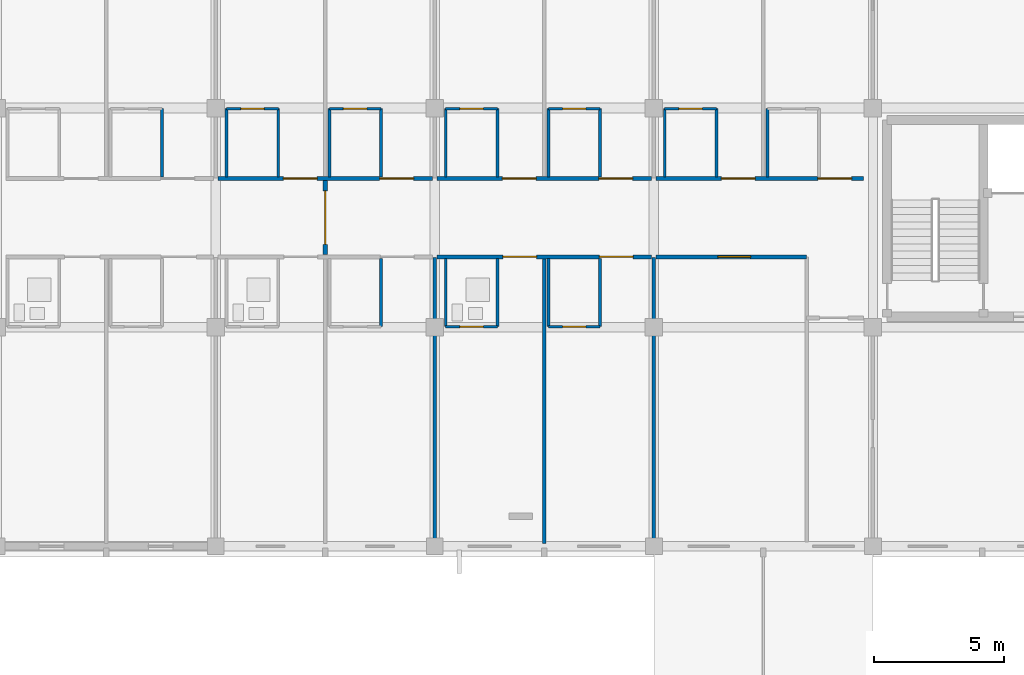
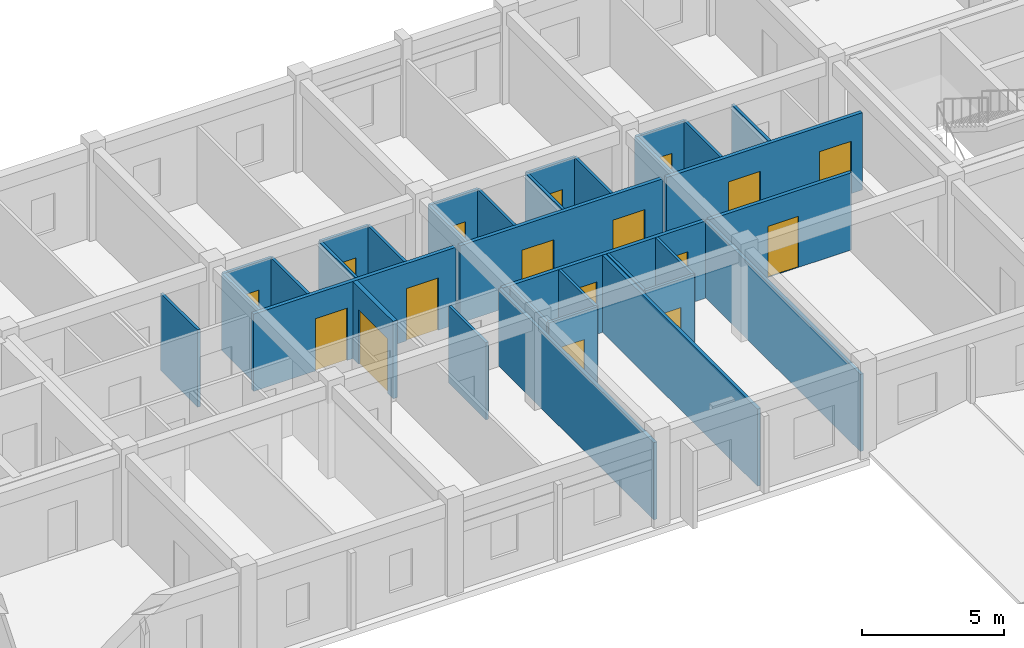
# One storey, part 71 of 90: 33 walls, 17 doors, 17 openings.
"""IFC4 building model written with IfcOpenShell, lengths in metres."""

from ifc_helpers import new_model, si_unit, direction, frame, frame_2d, origin, place, context, subcontext, project, spatial, rectangle, extrude, material, layer, layer_set, type_object, element, fill, save


model = new_model("IFC4")

# Units and contexts
model_context = context("Model", 3, precision=1e-05, world=origin(), true_north=direction((0.0, 1.0)))
body_context = subcontext(model_context, "Body", "Model", "MODEL_VIEW")
ifc_project = project(units=[si_unit("LENGTHUNIT", "METRE"), si_unit("AREAUNIT", "SQUARE_METRE"), si_unit("VOLUMEUNIT", "CUBIC_METRE"), si_unit("PLANEANGLEUNIT", "RADIAN"), si_unit("MASSUNIT", "GRAM", prefix="KILO")], contexts=[model_context])

# Site, building, storey
site_placement = place(None, origin())
site = spatial("IfcSite", under=ifc_project, at=site_placement, CompositionType="ELEMENT")
building_placement = place(site_placement, origin())
building = spatial("IfcBuilding", under=site, at=building_placement, Name="Trelvath General Hospital", CompositionType="ELEMENT")
storey_placement = place(building_placement, frame((0.0, 0.0, 20.39990234375)))
storey = spatial("IfcBuildingStorey", under=building, at=storey_placement, Name="L05", CompositionType="ELEMENT", Elevation=20.39990234375)

# Wall, openings, doors
ifc_material_1 = material(Name="Gypsum acoustic steel-stud partition", Category="steel")
ifc_layer_1 = layer(ifc_material_1, 0.14990234375)
ifc_layer_set_1 = layer_set([ifc_layer_1], Name="Gypsum acoustic steel-stud partition")
wall_type_1 = type_object("IfcWallType", Name="ClinicalPartition 150", PredefinedType="PARTITIONING", material=ifc_layer_set_1)
wall_1_placement = place(storey_placement, frame((67.1201171875, 106.5, 0.0), z_axis=(0.0, 0.0, 1.0), x_axis=(-1.0, 0.0, 0.0)))
wall_1 = element("IfcWall", 1, at=wall_1_placement, inside=storey, type_object=wall_type_1, Name="Corridor Partition N L05-1905", PredefinedType="PARTITIONING", context=body_context, shape_type="SweptSolid", body=[
    extrude(rectangle(XDim=8.240234375, YDim=0.14990234375, at=frame_2d((4.1201171875, 0.0))), origin(), (0.0, 0.0, 1.0), 3.320068359375),
])
opening_1_placement = place(wall_1_placement, frame((0.72998046875, 0.0, 0.0)))
opening_1 = element("IfcOpeningElement", 2, at=opening_1_placement, cuts=wall_1, Name="Opening D-5-1245", PredefinedType="OPENING", context=body_context, shape_type="SweptSolid", body=[
    extrude(rectangle(XDim=1.300048828125, YDim=2.25, at=frame_2d((0.64990234375, 1.125))), frame((0.0, 0.0849609375, 0.0), z_axis=(0.0, -1.0, 0.0), x_axis=(1.0, 0.0, 0.0)), (0.0, 0.0, 1.0), 0.169921875),
])
opening_2_placement = place(wall_1_placement, frame((4.429931640625, 0.0, 0.0)))
opening_2 = element("IfcOpeningElement", 3, at=opening_2_placement, cuts=wall_1, Name="Opening D-5-1246", PredefinedType="OPENING", context=body_context, shape_type="SweptSolid", body=[
    extrude(rectangle(XDim=1.300048828125, YDim=2.25, at=frame_2d((0.64990234375, 1.125))), frame((0.0, 0.0849609375, 0.0), z_axis=(0.0, -1.0, 0.0), x_axis=(1.0, 0.0, 0.0)), (0.0, 0.0, 1.0), 0.169921875),
])
ifc_material_2 = material(Name="Hospital bed-leaf timber door", Category="wood")
door_type_1 = type_object("IfcDoorType", Name="Door PatientBed 1300x2250", OperationType="NOTDEFINED", PredefinedType="DOOR", material=ifc_material_2)
door_1_placement = place(opening_1_placement, origin())
door_1 = element("IfcDoor", 4, at=door_1_placement, inside=storey, type_object=door_type_1, Name="Patient Room Door N L05-1245", OperationType="SINGLE_SWING_LEFT", OverallHeight=2.25, OverallWidth=1.300048828125, PredefinedType="DOOR", context=body_context, shape_type="SweptSolid", body=[
    extrude(rectangle(XDim=1.300048828125, YDim=2.25, at=frame_2d((0.64990234375, 1.125))), frame((0.0, 0.02490234375, 0.0), z_axis=(0.0, -1.0, 0.0), x_axis=(1.0, 0.0, 0.0)), (0.0, 0.0, 1.0), 0.050048828125),
])
fill(opening_1, door_1)
door_2_placement = place(opening_2_placement, origin())
door_2 = element("IfcDoor", 5, at=door_2_placement, inside=storey, type_object=door_type_1, Name="Patient Room Door N L05-1246", OperationType="SINGLE_SWING_LEFT", OverallHeight=2.25, OverallWidth=1.300048828125, PredefinedType="DOOR", context=body_context, shape_type="SweptSolid", body=[
    extrude(rectangle(XDim=1.300048828125, YDim=2.25, at=frame_2d((0.64990234375, 1.125))), frame((0.0, 0.02490234375, 0.0), z_axis=(0.0, -1.0, 0.0), x_axis=(1.0, 0.0, 0.0)), (0.0, 0.0, 1.0), 0.050048828125),
])
fill(opening_2, door_2)

wall_2_placement = place(storey_placement, frame((67.280029296875, 103.5, 0.0), z_axis=(0.0, 0.0, 1.0), x_axis=(1.0, 0.0, 0.0)))
wall_2 = element("IfcWall", 6, at=wall_2_placement, inside=storey, type_object=wall_type_1, Name="Corridor Partition L05-1916", PredefinedType="PARTITIONING", context=body_context, shape_type="SweptSolid", body=[
    extrude(rectangle(XDim=8.239990234375, YDim=0.14990234375, at=frame_2d((4.1201171875, 0.0))), origin(), (0.0, 0.0, 1.0), 3.320068359375),
])
opening_3_placement = place(wall_2_placement, frame((2.530029296875, 0.0, 0.0)))
opening_3 = element("IfcOpeningElement", 7, at=opening_3_placement, cuts=wall_2, Name="Opening D-5-1250", PredefinedType="OPENING", context=body_context, shape_type="SweptSolid", body=[
    extrude(rectangle(XDim=1.300048828125, YDim=2.25, at=frame_2d((0.64990234375, 1.125))), frame((0.0, 0.0849609375, 0.0), z_axis=(0.0, -1.0, 0.0), x_axis=(1.0, 0.0, 0.0)), (0.0, 0.0, 1.0), 0.169921875),
])
opening_4_placement = place(wall_2_placement, frame((6.22998046875, 0.0, 0.0)))
opening_4 = element("IfcOpeningElement", 8, at=opening_4_placement, cuts=wall_2, Name="Opening D-5-1251", PredefinedType="OPENING", context=body_context, shape_type="SweptSolid", body=[
    extrude(rectangle(XDim=1.300048828125, YDim=2.25, at=frame_2d((0.64990234375, 1.125))), frame((0.0, 0.0849609375, 0.0), z_axis=(0.0, -1.0, 0.0), x_axis=(1.0, 0.0, 0.0)), (0.0, 0.0, 1.0), 0.169921875),
])
door_3_placement = place(opening_3_placement, origin())
door_3 = element("IfcDoor", 9, at=door_3_placement, inside=storey, type_object=door_type_1, Name="Patient Room Door L05-1250", OperationType="SINGLE_SWING_RIGHT", OverallHeight=2.25, OverallWidth=1.300048828125, PredefinedType="DOOR", context=body_context, shape_type="SweptSolid", body=[
    extrude(rectangle(XDim=1.300048828125, YDim=2.25, at=frame_2d((0.64990234375, 1.125))), frame((0.0, 0.02490234375, 0.0), z_axis=(0.0, -1.0, 0.0), x_axis=(1.0, 0.0, 0.0)), (0.0, 0.0, 1.0), 0.050048828125),
])
fill(opening_3, door_3)
door_4_placement = place(opening_4_placement, origin())
door_4 = element("IfcDoor", 10, at=door_4_placement, inside=storey, type_object=door_type_1, Name="Patient Room Door L05-1251", OperationType="SINGLE_SWING_LEFT", OverallHeight=2.25, OverallWidth=1.300048828125, PredefinedType="DOOR", context=body_context, shape_type="SweptSolid", body=[
    extrude(rectangle(XDim=1.300048828125, YDim=2.25, at=frame_2d((0.64990234375, 1.125))), frame((0.0, 0.02490234375, 0.0), z_axis=(0.0, -1.0, 0.0), x_axis=(1.0, 0.0, 0.0)), (0.0, 0.0, 1.0), 0.050048828125),
])
fill(opening_4, door_4)

wall_3_placement = place(storey_placement, frame((75.52001953125, 106.5, 0.0), z_axis=(0.0, 0.0, 1.0), x_axis=(-1.0, 0.0, 0.0)))
wall_3 = element("IfcWall", 11, at=wall_3_placement, inside=storey, type_object=wall_type_1, Name="Corridor Partition N L05-1925", PredefinedType="PARTITIONING", context=body_context, shape_type="SweptSolid", body=[
    extrude(rectangle(XDim=8.239990234375, YDim=0.14990234375, at=frame_2d((4.1201171875, 0.0))), origin(), (0.0, 0.0, 1.0), 3.320068359375),
])
opening_5_placement = place(wall_3_placement, frame((0.72998046875, 0.0, 0.0)))
opening_5 = element("IfcOpeningElement", 12, at=opening_5_placement, cuts=wall_3, Name="Opening D-5-1254", PredefinedType="OPENING", context=body_context, shape_type="SweptSolid", body=[
    extrude(rectangle(XDim=1.300048828125, YDim=2.25, at=frame_2d((0.64990234375, 1.125))), frame((0.0, 0.0849609375, 0.0), z_axis=(0.0, -1.0, 0.0), x_axis=(1.0, 0.0, 0.0)), (0.0, 0.0, 1.0), 0.169921875),
])
opening_6_placement = place(wall_3_placement, frame((4.429931640625, 0.0, 0.0)))
opening_6 = element("IfcOpeningElement", 13, at=opening_6_placement, cuts=wall_3, Name="Opening D-5-1255", PredefinedType="OPENING", context=body_context, shape_type="SweptSolid", body=[
    extrude(rectangle(XDim=1.300048828125, YDim=2.25, at=frame_2d((0.64990234375, 1.125))), frame((0.0, 0.0849609375, 0.0), z_axis=(0.0, -1.0, 0.0), x_axis=(1.0, 0.0, 0.0)), (0.0, 0.0, 1.0), 0.169921875),
])
door_5_placement = place(opening_5_placement, origin())
door_5 = element("IfcDoor", 14, at=door_5_placement, inside=storey, type_object=door_type_1, Name="Patient Room Door N L05-1254", OperationType="SINGLE_SWING_RIGHT", OverallHeight=2.25, OverallWidth=1.300048828125, PredefinedType="DOOR", context=body_context, shape_type="SweptSolid", body=[
    extrude(rectangle(XDim=1.300048828125, YDim=2.25, at=frame_2d((0.64990234375, 1.125))), frame((0.0, 0.02490234375, 0.0), z_axis=(0.0, -1.0, 0.0), x_axis=(1.0, 0.0, 0.0)), (0.0, 0.0, 1.0), 0.050048828125),
])
fill(opening_5, door_5)
door_6_placement = place(opening_6_placement, origin())
door_6 = element("IfcDoor", 15, at=door_6_placement, inside=storey, type_object=door_type_1, Name="Patient Room Door N L05-1255", OperationType="SINGLE_SWING_RIGHT", OverallHeight=2.25, OverallWidth=1.300048828125, PredefinedType="DOOR", context=body_context, shape_type="SweptSolid", body=[
    extrude(rectangle(XDim=1.300048828125, YDim=2.25, at=frame_2d((0.64990234375, 1.125))), frame((0.0, 0.02490234375, 0.0), z_axis=(0.0, -1.0, 0.0), x_axis=(1.0, 0.0, 0.0)), (0.0, 0.0, 1.0), 0.050048828125),
])
fill(opening_6, door_6)

# Wall, opening, door
wall_4_placement = place(storey_placement, frame((75.679931640625, 103.5, 0.0), z_axis=(0.0, 0.0, 1.0), x_axis=(1.0, 0.0, 0.0)))
wall_4 = element("IfcWall", 16, at=wall_4_placement, inside=storey, type_object=wall_type_1, Name="Nurse Station Partition L05-1935", PredefinedType="PARTITIONING", context=body_context, shape_type="SweptSolid", body=[
    extrude(rectangle(XDim=5.780029296875, YDim=0.14990234375, at=frame_2d((2.89013671875, 0.0))), origin(), (0.0, 0.0, 1.0), 3.320068359375),
])
opening_7_placement = place(wall_4_placement, frame((2.3798828125, 0.0, 0.0)))
opening_7 = element("IfcOpeningElement", 17, at=opening_7_placement, cuts=wall_4, Name="Opening D-5-1258", PredefinedType="OPENING", context=body_context, shape_type="SweptSolid", body=[
    extrude(rectangle(XDim=1.25, YDim=2.199951171875, at=frame_2d((0.625, 1.10009765625))), frame((0.0, 0.0849609375, 0.0), z_axis=(0.0, -1.0, 0.0), x_axis=(1.0, 0.0, 0.0)), (0.0, 0.0, 1.0), 0.169921875),
])
ifc_material_3 = material(Name="Acoustic hospital timber leaf", Category="wood")
door_type_2 = type_object("IfcDoorType", Name="Door Treatment 1250x2200", OperationType="NOTDEFINED", PredefinedType="DOOR", material=ifc_material_3)
door_7_placement = place(opening_7_placement, origin())
door_7 = element("IfcDoor", 18, at=door_7_placement, inside=storey, type_object=door_type_2, Name="Nurse Station Door L05-1258", OperationType="SINGLE_SWING_LEFT", OverallHeight=2.199951171875, OverallWidth=1.25, PredefinedType="DOOR", context=body_context, shape_type="SweptSolid", body=[
    extrude(rectangle(XDim=1.25, YDim=2.199951171875, at=frame_2d((0.625, 1.10009765625))), frame((0.0, 0.02490234375, 0.0), z_axis=(0.0, -1.0, 0.0), x_axis=(1.0, 0.0, 0.0)), (0.0, 0.0, 1.0), 0.050048828125),
])
fill(opening_7, door_7)

# Wall, openings, doors
wall_5_placement = place(storey_placement, frame((83.639892578125, 106.5, 0.0), z_axis=(0.0, 0.0, 1.0), x_axis=(-1.0, 0.0, 0.0)))
wall_5 = element("IfcWall", 19, at=wall_5_placement, inside=storey, type_object=wall_type_1, Name="Corridor Partition N L05-1938", PredefinedType="PARTITIONING", context=body_context, shape_type="SweptSolid", body=[
    extrude(rectangle(XDim=7.9599609375, YDim=0.14990234375, at=frame_2d((3.97998046875, 0.0))), origin(), (0.0, 0.0, 1.0), 3.320068359375),
])
opening_8_placement = place(wall_5_placement, frame((0.449951171875, 0.0, 0.0)))
opening_8 = element("IfcOpeningElement", 20, at=opening_8_placement, cuts=wall_5, Name="Opening D-5-1260", PredefinedType="OPENING", context=body_context, shape_type="SweptSolid", body=[
    extrude(rectangle(XDim=1.300048828125, YDim=2.25, at=frame_2d((0.64990234375, 1.125))), frame((0.0, 0.0849609375, 0.0), z_axis=(0.0, -1.0, 0.0), x_axis=(1.0, 0.0, 0.0)), (0.0, 0.0, 1.0), 0.169921875),
])
opening_9_placement = place(wall_5_placement, frame((4.14990234375, 0.0, 0.0)))
opening_9 = element("IfcOpeningElement", 21, at=opening_9_placement, cuts=wall_5, Name="Opening D-5-1261", PredefinedType="OPENING", context=body_context, shape_type="SweptSolid", body=[
    extrude(rectangle(XDim=1.300048828125, YDim=2.25, at=frame_2d((0.64990234375, 1.125))), frame((0.0, 0.0849609375, 0.0), z_axis=(0.0, -1.0, 0.0), x_axis=(1.0, 0.0, 0.0)), (0.0, 0.0, 1.0), 0.169921875),
])
door_8_placement = place(opening_8_placement, origin())
door_8 = element("IfcDoor", 22, at=door_8_placement, inside=storey, type_object=door_type_1, Name="Patient Room Door N L05-1260", OperationType="SINGLE_SWING_LEFT", OverallHeight=2.25, OverallWidth=1.300048828125, PredefinedType="DOOR", context=body_context, shape_type="SweptSolid", body=[
    extrude(rectangle(XDim=1.300048828125, YDim=2.25, at=frame_2d((0.64990234375, 1.125))), frame((0.0, 0.02490234375, 0.0), z_axis=(0.0, -1.0, 0.0), x_axis=(1.0, 0.0, 0.0)), (0.0, 0.0, 1.0), 0.050048828125),
])
fill(opening_8, door_8)
door_9_placement = place(opening_9_placement, origin())
door_9 = element("IfcDoor", 23, at=door_9_placement, inside=storey, type_object=door_type_1, Name="Patient Room Door N L05-1261", OperationType="SINGLE_SWING_LEFT", OverallHeight=2.25, OverallWidth=1.300048828125, PredefinedType="DOOR", context=body_context, shape_type="SweptSolid", body=[
    extrude(rectangle(XDim=1.300048828125, YDim=2.25, at=frame_2d((0.64990234375, 1.125))), frame((0.0, 0.02490234375, 0.0), z_axis=(0.0, -1.0, 0.0), x_axis=(1.0, 0.0, 0.0)), (0.0, 0.0, 1.0), 0.050048828125),
])
fill(opening_9, door_9)

# Walls
ifc_material_4 = material(Name="Moisture-resistant tile partition")
ifc_layer_2 = layer(ifc_material_4, 0.110107421875)
ifc_layer_set_2 = layer_set([ifc_layer_2], Name="Moisture-resistant tile partition")
wall_type_2 = type_object("IfcWallType", Name="EnSuiteWetWall 110", PredefinedType="PARTITIONING", material=ifc_layer_set_2)
for number, where, z_axis, x_axis, name in (
    (24, (56.739990234375, 106.570068359375, 0.0), (0.0, 0.0, 1.0), (0.0, 1.0, 0.0), "En-Suite E Wall N L05-1893"),
    (25, (65.139892578125, 100.820068359375, 0.0), (0.0, 0.0, 1.0), (0.0, 1.0, 0.0), "En-Suite E Wall L05-1903"),
    (26, (59.219970703125, 106.570068359375, 0.0), (0.0, 0.0, 1.0), (0.0, 1.0, 0.0), "En-Suite W Wall N L05-1907"),
    (27, (61.199951171875, 106.570068359375, 0.0), (0.0, 0.0, 1.0), (0.0, 1.0, 0.0), "En-Suite E Wall N L05-1908"),
):
    element("IfcWall", number, at=place(storey_placement, frame(where, z_axis=z_axis, x_axis=x_axis)), inside=storey, type_object=wall_type_2, Name=name, PredefinedType="PARTITIONING", context=body_context, shape_type="SweptSolid", body=[
        extrude(rectangle(XDim=2.60986328125, YDim=0.110107421875, at=frame_2d((1.304931640625, 0.0))), origin(), (0.0, 0.0, 1.0), 3.320068359375),
    ])

# Wall, opening, door
wall_6_placement = place(storey_placement, frame((59.219970703125, 109.179931640625, 0.0), z_axis=(0.0, 0.0, 1.0), x_axis=(1.0, 0.0, 0.0)))
wall_6 = element("IfcWall", 28, at=wall_6_placement, inside=storey, type_object=wall_type_2, Name="En-Suite Bathroom N Partition L05-1909", PredefinedType="PARTITIONING", context=body_context, shape_type="SweptSolid", body=[
    extrude(rectangle(XDim=1.97998046875, YDim=0.110107421875, at=frame_2d((0.989990234375, 0.0))), origin(), (0.0, 0.0, 1.0), 3.320068359375),
])
opening_10_placement = place(wall_6_placement, frame((0.5400390625, 0.0, 0.0)))
opening_10 = element("IfcOpeningElement", 29, at=opening_10_placement, cuts=wall_6, Name="Opening D-5-1247", PredefinedType="OPENING", context=body_context, shape_type="SweptSolid", body=[
    extrude(rectangle(XDim=0.89990234375, YDim=2.10009765625, at=frame_2d((0.449951171875, 1.050048828125))), frame((0.0, 0.06494140625, 0.0), z_axis=(0.0, -1.0, 0.0), x_axis=(1.0, 0.0, 0.0)), (0.0, 0.0, 1.0), 0.130126953125),
])
ifc_material_5 = material(Name="Moisture-sealed timber leaf", Category="wood")
door_type_3 = type_object("IfcDoorType", Name="Door EnSuite 900x2100", OperationType="NOTDEFINED", PredefinedType="DOOR", material=ifc_material_5)
door_10_placement = place(opening_10_placement, origin())
door_10 = element("IfcDoor", 30, at=door_10_placement, inside=storey, type_object=door_type_3, Name="En-Suite Bathroom N Door L05-1247", OperationType="SINGLE_SWING_RIGHT", OverallHeight=2.10009765625, OverallWidth=0.89990234375, PredefinedType="DOOR", context=body_context, shape_type="SweptSolid", body=[
    extrude(rectangle(XDim=0.89990234375, YDim=2.10009765625, at=frame_2d((0.449951171875, 1.050048828125))), frame((0.0, 0.02490234375, 0.0), z_axis=(0.0, -1.0, 0.0), x_axis=(1.0, 0.0, 0.0)), (0.0, 0.0, 1.0), 0.050048828125),
])
fill(opening_10, door_10)

# Walls
for number, where, z_axis, x_axis, name in (
    (31, (63.159912109375, 106.570068359375, 0.0), (0.0, 0.0, 1.0), (0.0, 1.0, 0.0), "En-Suite W Wall N L05-1910"),
    (32, (65.139892578125, 106.570068359375, 0.0), (0.0, 0.0, 1.0), (0.0, 1.0, 0.0), "En-Suite E Wall N L05-1911"),
):
    element("IfcWall", number, at=place(storey_placement, frame(where, z_axis=z_axis, x_axis=x_axis)), inside=storey, type_object=wall_type_2, Name=name, PredefinedType="PARTITIONING", context=body_context, shape_type="SweptSolid", body=[
        extrude(rectangle(XDim=2.60986328125, YDim=0.110107421875, at=frame_2d((1.304931640625, 0.0))), origin(), (0.0, 0.0, 1.0), 3.320068359375),
    ])

# Wall, opening, door
wall_7_placement = place(storey_placement, frame((63.159912109375, 109.179931640625, 0.0), z_axis=(0.0, 0.0, 1.0), x_axis=(1.0, 0.0, 0.0)))
wall_7 = element("IfcWall", 33, at=wall_7_placement, inside=storey, type_object=wall_type_2, Name="En-Suite Bathroom N Partition L05-1912", PredefinedType="PARTITIONING", context=body_context, shape_type="SweptSolid", body=[
    extrude(rectangle(XDim=1.97998046875, YDim=0.110107421875, at=frame_2d((0.989990234375, 0.0))), origin(), (0.0, 0.0, 1.0), 3.320068359375),
])
opening_11_placement = place(wall_7_placement, frame((0.5400390625, 0.0, 0.0)))
opening_11 = element("IfcOpeningElement", 34, at=opening_11_placement, cuts=wall_7, Name="Opening D-5-1248", PredefinedType="OPENING", context=body_context, shape_type="SweptSolid", body=[
    extrude(rectangle(XDim=0.89990234375, YDim=2.10009765625, at=frame_2d((0.449951171875, 1.050048828125))), frame((0.0, 0.06494140625, 0.0), z_axis=(0.0, -1.0, 0.0), x_axis=(1.0, 0.0, 0.0)), (0.0, 0.0, 1.0), 0.130126953125),
])
door_11_placement = place(opening_11_placement, origin())
door_11 = element("IfcDoor", 35, at=door_11_placement, inside=storey, type_object=door_type_3, Name="En-Suite Bathroom N Door L05-1248", OperationType="SINGLE_SWING_LEFT", OverallHeight=2.10009765625, OverallWidth=0.89990234375, PredefinedType="DOOR", context=body_context, shape_type="SweptSolid", body=[
    extrude(rectangle(XDim=0.89990234375, YDim=2.10009765625, at=frame_2d((0.449951171875, 1.050048828125))), frame((0.0, 0.02490234375, 0.0), z_axis=(0.0, -1.0, 0.0), x_axis=(1.0, 0.0, 0.0)), (0.0, 0.0, 1.0), 0.050048828125),
])
fill(opening_11, door_11)

# Walls
for number, where, z_axis, x_axis, name in (
    (36, (67.6201171875, 100.820068359375, 0.0), (0.0, 0.0, 1.0), (0.0, 1.0, 0.0), "En-Suite W Wall L05-1918"),
    (37, (69.60009765625, 100.820068359375, 0.0), (0.0, 0.0, 1.0), (0.0, 1.0, 0.0), "En-Suite E Wall L05-1919"),
):
    element("IfcWall", number, at=place(storey_placement, frame(where, z_axis=z_axis, x_axis=x_axis)), inside=storey, type_object=wall_type_2, Name=name, PredefinedType="PARTITIONING", context=body_context, shape_type="SweptSolid", body=[
        extrude(rectangle(XDim=2.60986328125, YDim=0.110107421875, at=frame_2d((1.304931640625, 0.0))), origin(), (0.0, 0.0, 1.0), 3.320068359375),
    ])

# Wall, opening, door
wall_8_placement = place(storey_placement, frame((67.6201171875, 100.820068359375, 0.0), z_axis=(0.0, 0.0, 1.0), x_axis=(1.0, 0.0, 0.0)))
wall_8 = element("IfcWall", 38, at=wall_8_placement, inside=storey, type_object=wall_type_2, Name="En-Suite Bathroom Partition L05-1920", PredefinedType="PARTITIONING", context=body_context, shape_type="SweptSolid", body=[
    extrude(rectangle(XDim=1.97998046875, YDim=0.110107421875, at=frame_2d((0.989990234375, 0.0))), origin(), (0.0, 0.0, 1.0), 3.320068359375),
])
opening_12_placement = place(wall_8_placement, frame((0.5400390625, 0.0, 0.0)))
opening_12 = element("IfcOpeningElement", 39, at=opening_12_placement, cuts=wall_8, Name="Opening D-5-1252", PredefinedType="OPENING", context=body_context, shape_type="SweptSolid", body=[
    extrude(rectangle(XDim=0.89990234375, YDim=2.10009765625, at=frame_2d((0.449951171875, 1.050048828125))), frame((0.0, 0.06494140625, 0.0), z_axis=(0.0, -1.0, 0.0), x_axis=(1.0, 0.0, 0.0)), (0.0, 0.0, 1.0), 0.130126953125),
])
door_12_placement = place(opening_12_placement, origin())
door_12 = element("IfcDoor", 40, at=door_12_placement, inside=storey, type_object=door_type_3, Name="En-Suite Bathroom Door L05-1252", OperationType="SINGLE_SWING_RIGHT", OverallHeight=2.10009765625, OverallWidth=0.89990234375, PredefinedType="DOOR", context=body_context, shape_type="SweptSolid", body=[
    extrude(rectangle(XDim=0.89990234375, YDim=2.10009765625, at=frame_2d((0.449951171875, 1.050048828125))), frame((0.0, 0.02490234375, 0.0), z_axis=(0.0, -1.0, 0.0), x_axis=(1.0, 0.0, 0.0)), (0.0, 0.0, 1.0), 0.050048828125),
])
fill(opening_12, door_12)

# Walls
for number, where, z_axis, x_axis, name in (
    (41, (71.56005859375, 100.820068359375, 0.0), (0.0, 0.0, 1.0), (0.0, 1.0, 0.0), "En-Suite W Wall L05-1921"),
    (42, (73.5400390625, 100.820068359375, 0.0), (0.0, 0.0, 1.0), (0.0, 1.0, 0.0), "En-Suite E Wall L05-1922"),
):
    element("IfcWall", number, at=place(storey_placement, frame(where, z_axis=z_axis, x_axis=x_axis)), inside=storey, type_object=wall_type_2, Name=name, PredefinedType="PARTITIONING", context=body_context, shape_type="SweptSolid", body=[
        extrude(rectangle(XDim=2.60986328125, YDim=0.110107421875, at=frame_2d((1.304931640625, 0.0))), origin(), (0.0, 0.0, 1.0), 3.320068359375),
    ])

# Wall, opening, door
wall_9_placement = place(storey_placement, frame((71.56005859375, 100.820068359375, 0.0), z_axis=(0.0, 0.0, 1.0), x_axis=(1.0, 0.0, 0.0)))
wall_9 = element("IfcWall", 43, at=wall_9_placement, inside=storey, type_object=wall_type_2, Name="En-Suite Bathroom Partition L05-1923", PredefinedType="PARTITIONING", context=body_context, shape_type="SweptSolid", body=[
    extrude(rectangle(XDim=1.97998046875, YDim=0.110107421875, at=frame_2d((0.989990234375, 0.0))), origin(), (0.0, 0.0, 1.0), 3.320068359375),
])
opening_13_placement = place(wall_9_placement, frame((0.5400390625, 0.0, 0.0)))
opening_13 = element("IfcOpeningElement", 44, at=opening_13_placement, cuts=wall_9, Name="Opening D-5-1253", PredefinedType="OPENING", context=body_context, shape_type="SweptSolid", body=[
    extrude(rectangle(XDim=0.89990234375, YDim=2.10009765625, at=frame_2d((0.449951171875, 1.050048828125))), frame((0.0, 0.06494140625, 0.0), z_axis=(0.0, -1.0, 0.0), x_axis=(1.0, 0.0, 0.0)), (0.0, 0.0, 1.0), 0.130126953125),
])
door_13_placement = place(opening_13_placement, origin())
door_13 = element("IfcDoor", 45, at=door_13_placement, inside=storey, type_object=door_type_3, Name="En-Suite Bathroom Door L05-1253", OperationType="SINGLE_SWING_LEFT", OverallHeight=2.10009765625, OverallWidth=0.89990234375, PredefinedType="DOOR", context=body_context, shape_type="SweptSolid", body=[
    extrude(rectangle(XDim=0.89990234375, YDim=2.10009765625, at=frame_2d((0.449951171875, 1.050048828125))), frame((0.0, 0.02490234375, 0.0), z_axis=(0.0, -1.0, 0.0), x_axis=(1.0, 0.0, 0.0)), (0.0, 0.0, 1.0), 0.050048828125),
])
fill(opening_13, door_13)

# Walls
for number, where, z_axis, x_axis, name in (
    (46, (67.6201171875, 106.570068359375, 0.0), (0.0, 0.0, 1.0), (0.0, 1.0, 0.0), "En-Suite W Wall N L05-1927"),
    (47, (69.60009765625, 106.570068359375, 0.0), (0.0, 0.0, 1.0), (0.0, 1.0, 0.0), "En-Suite E Wall N L05-1928"),
):
    element("IfcWall", number, at=place(storey_placement, frame(where, z_axis=z_axis, x_axis=x_axis)), inside=storey, type_object=wall_type_2, Name=name, PredefinedType="PARTITIONING", context=body_context, shape_type="SweptSolid", body=[
        extrude(rectangle(XDim=2.60986328125, YDim=0.110107421875, at=frame_2d((1.304931640625, 0.0))), origin(), (0.0, 0.0, 1.0), 3.320068359375),
    ])

# Wall, opening, door
wall_10_placement = place(storey_placement, frame((67.6201171875, 109.179931640625, 0.0), z_axis=(0.0, 0.0, 1.0), x_axis=(1.0, 0.0, 0.0)))
wall_10 = element("IfcWall", 48, at=wall_10_placement, inside=storey, type_object=wall_type_2, Name="En-Suite Bathroom N Partition L05-1929", PredefinedType="PARTITIONING", context=body_context, shape_type="SweptSolid", body=[
    extrude(rectangle(XDim=1.97998046875, YDim=0.110107421875, at=frame_2d((0.989990234375, 0.0))), origin(), (0.0, 0.0, 1.0), 3.320068359375),
])
opening_14_placement = place(wall_10_placement, frame((0.5400390625, 0.0, 0.0)))
opening_14 = element("IfcOpeningElement", 49, at=opening_14_placement, cuts=wall_10, Name="Opening D-5-1256", PredefinedType="OPENING", context=body_context, shape_type="SweptSolid", body=[
    extrude(rectangle(XDim=0.89990234375, YDim=2.10009765625, at=frame_2d((0.449951171875, 1.050048828125))), frame((0.0, 0.06494140625, 0.0), z_axis=(0.0, -1.0, 0.0), x_axis=(1.0, 0.0, 0.0)), (0.0, 0.0, 1.0), 0.130126953125),
])
door_14_placement = place(opening_14_placement, origin())
door_14 = element("IfcDoor", 50, at=door_14_placement, inside=storey, type_object=door_type_3, Name="En-Suite Bathroom N Door L05-1256", OperationType="SINGLE_SWING_LEFT", OverallHeight=2.10009765625, OverallWidth=0.89990234375, PredefinedType="DOOR", context=body_context, shape_type="SweptSolid", body=[
    extrude(rectangle(XDim=0.89990234375, YDim=2.10009765625, at=frame_2d((0.449951171875, 1.050048828125))), frame((0.0, 0.02490234375, 0.0), z_axis=(0.0, -1.0, 0.0), x_axis=(1.0, 0.0, 0.0)), (0.0, 0.0, 1.0), 0.050048828125),
])
fill(opening_14, door_14)

# Walls
for number, where, z_axis, x_axis, name in (
    (51, (71.56005859375, 106.570068359375, 0.0), (0.0, 0.0, 1.0), (0.0, 1.0, 0.0), "En-Suite W Wall N L05-1930"),
    (52, (73.5400390625, 106.570068359375, 0.0), (0.0, 0.0, 1.0), (0.0, 1.0, 0.0), "En-Suite E Wall N L05-1931"),
):
    element("IfcWall", number, at=place(storey_placement, frame(where, z_axis=z_axis, x_axis=x_axis)), inside=storey, type_object=wall_type_2, Name=name, PredefinedType="PARTITIONING", context=body_context, shape_type="SweptSolid", body=[
        extrude(rectangle(XDim=2.60986328125, YDim=0.110107421875, at=frame_2d((1.304931640625, 0.0))), origin(), (0.0, 0.0, 1.0), 3.320068359375),
    ])

# Wall, opening, door
wall_11_placement = place(storey_placement, frame((71.56005859375, 109.179931640625, 0.0), z_axis=(0.0, 0.0, 1.0), x_axis=(1.0, 0.0, 0.0)))
wall_11 = element("IfcWall", 53, at=wall_11_placement, inside=storey, type_object=wall_type_2, Name="En-Suite Bathroom N Partition L05-1932", PredefinedType="PARTITIONING", context=body_context, shape_type="SweptSolid", body=[
    extrude(rectangle(XDim=1.97998046875, YDim=0.110107421875, at=frame_2d((0.989990234375, 0.0))), origin(), (0.0, 0.0, 1.0), 3.320068359375),
])
opening_15_placement = place(wall_11_placement, frame((0.5400390625, 0.0, 0.0)))
opening_15 = element("IfcOpeningElement", 54, at=opening_15_placement, cuts=wall_11, Name="Opening D-5-1257", PredefinedType="OPENING", context=body_context, shape_type="SweptSolid", body=[
    extrude(rectangle(XDim=0.89990234375, YDim=2.10009765625, at=frame_2d((0.449951171875, 1.050048828125))), frame((0.0, 0.06494140625, 0.0), z_axis=(0.0, -1.0, 0.0), x_axis=(1.0, 0.0, 0.0)), (0.0, 0.0, 1.0), 0.130126953125),
])
door_15_placement = place(opening_15_placement, origin())
door_15 = element("IfcDoor", 55, at=door_15_placement, inside=storey, type_object=door_type_3, Name="En-Suite Bathroom N Door L05-1257", OperationType="SINGLE_SWING_RIGHT", OverallHeight=2.10009765625, OverallWidth=0.89990234375, PredefinedType="DOOR", context=body_context, shape_type="SweptSolid", body=[
    extrude(rectangle(XDim=0.89990234375, YDim=2.10009765625, at=frame_2d((0.449951171875, 1.050048828125))), frame((0.0, 0.02490234375, 0.0), z_axis=(0.0, -1.0, 0.0), x_axis=(1.0, 0.0, 0.0)), (0.0, 0.0, 1.0), 0.050048828125),
])
fill(opening_15, door_15)

# Walls
for number, where, z_axis, x_axis, name in (
    (56, (76.02001953125, 106.570068359375, 0.0), (0.0, 0.0, 1.0), (0.0, 1.0, 0.0), "En-Suite W Wall N L05-1940"),
    (57, (78.0, 106.570068359375, 0.0), (0.0, 0.0, 1.0), (0.0, 1.0, 0.0), "En-Suite E Wall N L05-1941"),
):
    element("IfcWall", number, at=place(storey_placement, frame(where, z_axis=z_axis, x_axis=x_axis)), inside=storey, type_object=wall_type_2, Name=name, PredefinedType="PARTITIONING", context=body_context, shape_type="SweptSolid", body=[
        extrude(rectangle(XDim=2.60986328125, YDim=0.110107421875, at=frame_2d((1.304931640625, 0.0))), origin(), (0.0, 0.0, 1.0), 3.320068359375),
    ])

# Wall, opening, door
wall_12_placement = place(storey_placement, frame((76.02001953125, 109.179931640625, 0.0), z_axis=(0.0, 0.0, 1.0), x_axis=(1.0, 0.0, 0.0)))
wall_12 = element("IfcWall", 58, at=wall_12_placement, inside=storey, type_object=wall_type_2, Name="En-Suite Bathroom N Partition L05-1942", PredefinedType="PARTITIONING", context=body_context, shape_type="SweptSolid", body=[
    extrude(rectangle(XDim=1.97998046875, YDim=0.110107421875, at=frame_2d((0.989990234375, 0.0))), origin(), (0.0, 0.0, 1.0), 3.320068359375),
])
opening_16_placement = place(wall_12_placement, frame((0.5400390625, 0.0, 0.0)))
opening_16 = element("IfcOpeningElement", 59, at=opening_16_placement, cuts=wall_12, Name="Opening D-5-1262", PredefinedType="OPENING", context=body_context, shape_type="SweptSolid", body=[
    extrude(rectangle(XDim=0.89990234375, YDim=2.10009765625, at=frame_2d((0.449951171875, 1.050048828125))), frame((0.0, 0.06494140625, 0.0), z_axis=(0.0, -1.0, 0.0), x_axis=(1.0, 0.0, 0.0)), (0.0, 0.0, 1.0), 0.130126953125),
])
door_16_placement = place(opening_16_placement, origin())
door_16 = element("IfcDoor", 60, at=door_16_placement, inside=storey, type_object=door_type_3, Name="En-Suite Bathroom N Door L05-1262", OperationType="SINGLE_SWING_RIGHT", OverallHeight=2.10009765625, OverallWidth=0.89990234375, PredefinedType="DOOR", context=body_context, shape_type="SweptSolid", body=[
    extrude(rectangle(XDim=0.89990234375, YDim=2.10009765625, at=frame_2d((0.449951171875, 1.050048828125))), frame((0.0, 0.02490234375, 0.0), z_axis=(0.0, -1.0, 0.0), x_axis=(1.0, 0.0, 0.0)), (0.0, 0.0, 1.0), 0.050048828125),
])
fill(opening_16, door_16)

# Wall
wall_13_placement = place(storey_placement, frame((79.9599609375, 106.570068359375, 0.0), z_axis=(0.0, 0.0, 1.0), x_axis=(0.0, 1.0, 0.0)))
element("IfcWall", 61, at=wall_13_placement, inside=storey, type_object=wall_type_2, Name="En-Suite W Wall N L05-1943", PredefinedType="PARTITIONING", context=body_context, shape_type="SweptSolid", body=[
    extrude(rectangle(XDim=2.60986328125, YDim=0.110107421875, at=frame_2d((1.304931640625, 0.0))), origin(), (0.0, 0.0, 1.0), 3.320068359375),
])

# Wall, opening, door
ifc_material_6 = material(Name="Masonry fire blockwork", Category="masonry")
ifc_layer_3 = layer(ifc_material_6, 0.179931640625)
ifc_layer_set_3 = layer_set([ifc_layer_3], Name="Masonry fire blockwork")
wall_type_3 = type_object("IfcWallType", Name="SmokeBarrierWall 180", PredefinedType="PARTITIONING", material=ifc_layer_set_3)
wall_14_placement = place(storey_placement, frame((63.0, 103.580078125, 0.0), z_axis=(0.0, 0.0, 1.0), x_axis=(0.0, 1.0, 0.0)))
wall_14 = element("IfcWall", 62, at=wall_14_placement, inside=storey, type_object=wall_type_3, Name="Smoke Compartment Barrier L05-1913", PredefinedType="PARTITIONING", context=body_context, shape_type="SweptSolid", body=[
    extrude(rectangle(XDim=2.83984375, YDim=0.179931640625, at=frame_2d((1.419921875, 0.0))), origin(), (0.0, 0.0, 1.0), 3.320068359375),
])
opening_17_placement = place(wall_14_placement, frame((0.39501953125, 0.0, 0.0)))
opening_17 = element("IfcOpeningElement", 63, at=opening_17_placement, cuts=wall_14, Name="Opening SD-5-1249", PredefinedType="OPENING", context=body_context, shape_type="SweptSolid", body=[
    extrude(rectangle(XDim=2.050048828125, YDim=2.35009765625, at=frame_2d((1.02490234375, 1.175048828125))), frame((0.0, 0.099853515625, 0.0), z_axis=(0.0, -1.0, 0.0), x_axis=(1.0, 0.0, 0.0)), (0.0, 0.0, 1.0), 0.199951171875),
])
ifc_material_7 = material(Name="Fire-rated steel cross-corridor pair", Category="steel")
door_type_4 = type_object("IfcDoorType", Name="Door SmokeCross 2050x2350", OperationType="DOUBLE_SWING_LEFT", PredefinedType="DOOR", material=ifc_material_7)
door_17_placement = place(opening_17_placement, origin())
door_17 = element("IfcDoor", 64, at=door_17_placement, inside=storey, type_object=door_type_4, Name="Cross-Corridor Smoke Door L05-1249", OperationType="SLIDING_TO_LEFT", OverallHeight=2.35009765625, OverallWidth=2.050048828125, PredefinedType="DOOR", context=body_context, shape_type="SweptSolid", body=[
    extrude(rectangle(XDim=2.050048828125, YDim=2.35009765625, at=frame_2d((1.02490234375, 1.175048828125))), frame((0.0, 0.02490234375, 0.0), z_axis=(0.0, -1.0, 0.0), x_axis=(1.0, 0.0, 0.0)), (0.0, 0.0, 1.0), 0.050048828125),
])
fill(opening_17, door_17)

# Walls
ifc_material_8 = material(Name="Gypsum acoustic steel-stud partition", Category="steel")
ifc_layer_4 = layer(ifc_material_8, 0.1298828125)
ifc_layer_set_4 = layer_set([ifc_layer_4], Name="Gypsum acoustic steel-stud partition")
wall_type_4 = type_object("IfcWallType", Name="WardPartition 130", PredefinedType="PARTITIONING", material=ifc_layer_set_4)
wall_15_placement = place(storey_placement, frame((67.199951171875, 92.5400390625, 0.0), z_axis=(0.0, 0.0, 1.0), x_axis=(0.0, 1.0, 0.0)))
element("IfcWall", 65, at=wall_15_placement, inside=storey, type_object=wall_type_4, Name="Inter-Bay Ward Partition S L05-1914", PredefinedType="PARTITIONING", context=body_context, shape_type="SweptSolid", body=[
    extrude(rectangle(XDim=10.93994140625, YDim=0.1298828125, at=frame_2d((5.469970703125, 0.0))), origin(), (0.0, 0.0, 1.0), 3.320068359375),
])
wall_16_placement = place(storey_placement, frame((71.39990234375, 92.5, 0.0), z_axis=(0.0, 0.0, 1.0), x_axis=(0.0, 1.0, 0.0)))
element("IfcWall", 66, at=wall_16_placement, inside=storey, type_object=wall_type_4, Name="Room Dividing Partition S L05-1917", PredefinedType="PARTITIONING", context=body_context, shape_type="SweptSolid", body=[
    extrude(rectangle(XDim=10.929931640625, YDim=0.1298828125, at=frame_2d((5.46484375, 0.0))), origin(), (0.0, 0.0, 1.0), 3.320068359375),
])
wall_17_placement = place(storey_placement, frame((75.60009765625, 92.5400390625, 0.0), z_axis=(0.0, 0.0, 1.0), x_axis=(0.0, 1.0, 0.0)))
element("IfcWall", 67, at=wall_17_placement, inside=storey, type_object=wall_type_4, Name="Inter-Bay Ward Partition S L05-1933", PredefinedType="PARTITIONING", context=body_context, shape_type="SweptSolid", body=[
    extrude(rectangle(XDim=10.93994140625, YDim=0.1298828125, at=frame_2d((5.469970703125, 0.0))), origin(), (0.0, 0.0, 1.0), 3.320068359375),
])

save(model, "model.ifc")
